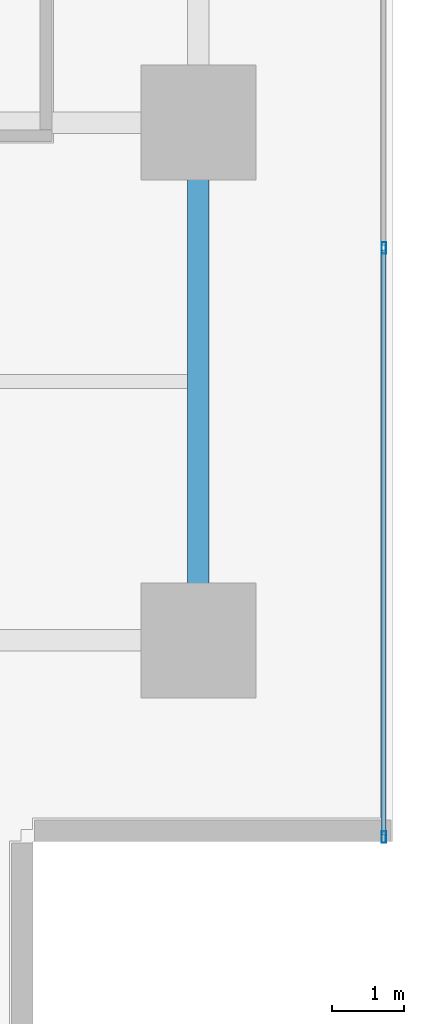
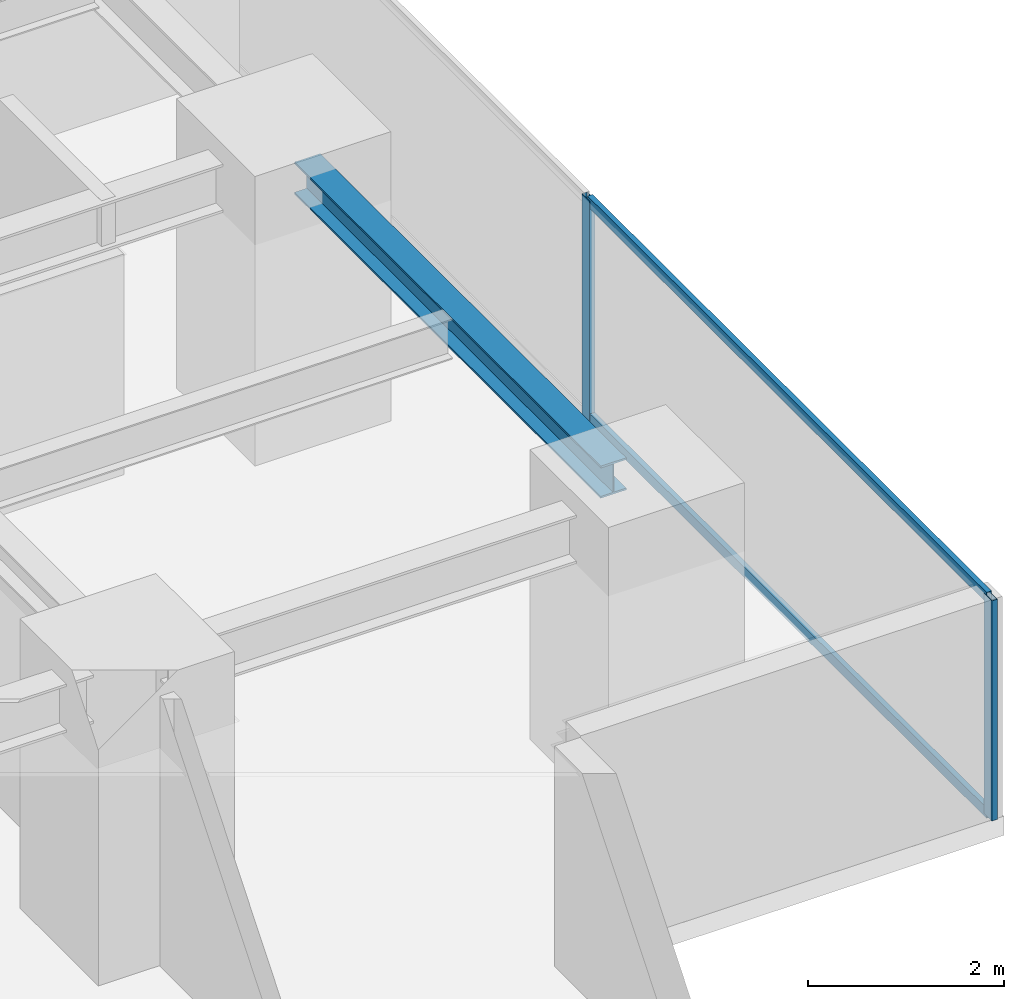
# One storey, part 14 of 37: 4 members, 1 beam, 1 element without a shape of its own.
"""IFC4 building model written with IfcOpenShell, lengths in metres."""

from ifc_helpers import new_model, si_unit, direction, frame, origin, origin_2d, place, context, subcontext, project, spatial, hollow_rectangle, i_section, extrude, source, transform, mapped, material, layer, layer_set, material_profile, profile_set, type_object, element, aggregate, save


model = new_model("IFC4")

# Units and contexts
model_context = context("Model", 3, precision=1e-05, world=origin(), true_north=direction((0.0, 1.0)))
body_context = subcontext(model_context, "Body", "Model", "MODEL_VIEW")
ifc_project = project(units=[si_unit("LENGTHUNIT", "METRE"), si_unit("AREAUNIT", "SQUARE_METRE"), si_unit("VOLUMEUNIT", "CUBIC_METRE"), si_unit("PLANEANGLEUNIT", "RADIAN"), si_unit("MASSUNIT", "GRAM", prefix="KILO")], contexts=[model_context])

# Site, building, storey
site_placement = place(None, origin())
site = spatial("IfcSite", under=ifc_project, at=site_placement, CompositionType="ELEMENT")
building_placement = place(site_placement, origin())
building = spatial("IfcBuilding", under=site, at=building_placement, Name="Sumidabori Civic Tower", CompositionType="ELEMENT")
storey_placement = place(building_placement, frame((0.0, 0.0, 110.0)))
storey = spatial("IfcBuildingStorey", under=building, at=storey_placement, Name="L28", CompositionType="ELEMENT", Elevation=110.0)

# Beam
ifc_material_1 = material(Name="Steel SN490", Category="steel")
ifc_material_profile_1 = material_profile(ifc_material_1, i_section(OverallWidth=0.300048828125, OverallDepth=0.39990234375, WebThickness=0.013427734375, FlangeThickness=0.02392578125, at=origin_2d()), Name="HE 400 B")
ifc_profile_set_1 = profile_set([ifc_material_profile_1], Name="Steel SN490")
beam_type = type_object("IfcBeamType", Name="BM-GIRD-400", PredefinedType="BEAM", material=ifc_profile_set_1)
shared_shape_1 = source(origin(), body_context, "Body", "SweptSolid", [
    extrude(i_section(OverallWidth=0.300048828125, OverallDepth=0.39990234375, WebThickness=0.013427734375, FlangeThickness=0.02392578125, at=origin_2d()), origin(), (0.0, 0.0, 1.0), 6.239990234375),
])
beam_placement = place(storey_placement, frame((22.800048828125, -17.52001953125, 3.159912109375), z_axis=(0.0, 1.0, 0.0), x_axis=(-1.0, 0.0, 0.0)))
element("IfcBeam", 1, at=beam_placement, inside=storey, type_object=beam_type, Name="Primary Girder L28 GY-39", PredefinedType="BEAM", context=body_context, shape_type="MappedRepresentation", body=[
    mapped(shared_shape_1, transform((0.0, 0.0, 0.0), x_axis=(1.0, 0.0, 0.0), y_axis=(0.0, 1.0, 0.0), z_axis=(0.0, 0.0, 1.0), scale=1.0)),
])

# Curtain wall, members
ifc_material_2 = material(Name="Anodised Bronze Aluminium AW-6063-T6", Category="aluminium")
ifc_layer = layer(ifc_material_2, 0.179931640625, Name="Anodised Bronze Aluminium AW-6063-T6")
ifc_layer_set = layer_set([ifc_layer], Name="Anodised Bronze Aluminium AW-6063-T6")
curtain_wall_type = type_object("IfcCurtainWallType", Name="CW-SYS-3", PredefinedType="NOTDEFINED", material=ifc_layer_set)
curtain_wall_placement = place(storey_placement, origin())
curtain_wall = element("IfcCurtainWall", 2, at=curtain_wall_placement, inside=storey, type_object=curtain_wall_type, Name="Curtain Wall CW:L28:R04", PredefinedType="NOTDEFINED")
ifc_material_profile_2 = material_profile(ifc_material_2, hollow_rectangle(XDim=0.06494140625, YDim=0.159912109375, WallThickness=0.0048828125, at=origin_2d()), Name="ALU MULLION 160x65")
ifc_profile_set_2 = profile_set([ifc_material_profile_2], Name="Anodised Bronze Aluminium AW-6063-T6")
member_type_1 = type_object("IfcMemberType", Name="CW-MUL-160", PredefinedType="MULLION", material=ifc_profile_set_2)
shared_shape_2 = source(origin(), body_context, "Body", "SweptSolid", [
    extrude(hollow_rectangle(XDim=0.06494140625, YDim=0.159912109375, WallThickness=0.0048828125, at=origin_2d()), origin(), (0.0, 0.0, 1.0), 2.739990234375),
])
member_1_placement = place(storey_placement, frame((25.3798828125, -20.737548828125, 0.0), z_axis=(0.0, 0.0, 1.0), x_axis=(-1.0, 0.0, 0.0)))
member_1 = element("IfcMember", 3, at=member_1_placement, type_object=member_type_1, Name="CW-3 mullion 1", PredefinedType="MULLION", context=body_context, shape_type="MappedRepresentation", body=[
    mapped(shared_shape_2, transform((0.0, 0.0, 0.0), x_axis=(1.0, 0.0, 0.0), y_axis=(0.0, 1.0, 0.0), z_axis=(0.0, 0.0, 1.0), scale=1.0)),
])
member_2_placement = place(storey_placement, frame((25.3798828125, -12.5419921875, 0.0), z_axis=(0.0, 0.0, 1.0), x_axis=(-1.0, 0.0, 0.0)))
member_2 = element("IfcMember", 4, at=member_2_placement, type_object=member_type_1, Name="CW-3 mullion 2", PredefinedType="MULLION", context=body_context, shape_type="MappedRepresentation", body=[
    mapped(shared_shape_2, transform((0.0, 0.0, 0.0), x_axis=(1.0, 0.0, 0.0), y_axis=(0.0, 1.0, 0.0), z_axis=(0.0, 0.0, 1.0), scale=1.0)),
])
ifc_material_profile_3 = material_profile(ifc_material_2, hollow_rectangle(XDim=0.06005859375, YDim=0.1298828125, WallThickness=0.0048828125, at=origin_2d()), Name="ALU TRANSOM 130x60")
ifc_profile_set_3 = profile_set([ifc_material_profile_3], Name="Anodised Bronze Aluminium AW-6063-T6")
member_type_2 = type_object("IfcMemberType", Name="CW-TRN-130", PredefinedType="USERDEFINED", material=ifc_profile_set_3)
shared_shape_3 = source(origin(), body_context, "Body", "SweptSolid", [
    extrude(hollow_rectangle(XDim=0.06005859375, YDim=0.1298828125, WallThickness=0.0048828125, at=origin_2d()), origin(), (0.0, 0.0, 1.0), 8.130615234375),
])
member_3_placement = place(storey_placement, frame((25.3798828125, -20.705078125, 0.030029296875), z_axis=(0.0, 1.0, 0.0), x_axis=(-1.0, 0.0, 0.0)))
member_3 = element("IfcMember", 5, at=member_3_placement, type_object=member_type_2, Name="CW-3 transom 1.1", ObjectType="TRANSOM", PredefinedType="USERDEFINED", context=body_context, shape_type="MappedRepresentation", body=[
    mapped(shared_shape_3, transform((0.0, 0.0, 0.0), x_axis=(1.0, 0.0, 0.0), y_axis=(0.0, 1.0, 0.0), z_axis=(0.0, 0.0, 1.0), scale=1.0)),
])
member_4_placement = place(storey_placement, frame((25.3798828125, -20.705078125, 2.7099609375), z_axis=(0.0, 1.0, 0.0), x_axis=(-1.0, 0.0, 0.0)))
member_4 = element("IfcMember", 6, at=member_4_placement, type_object=member_type_2, Name="CW-3 transom 1.2", ObjectType="TRANSOM", PredefinedType="USERDEFINED", context=body_context, shape_type="MappedRepresentation", body=[
    mapped(shared_shape_3, transform((0.0, 0.0, 0.0), x_axis=(1.0, 0.0, 0.0), y_axis=(0.0, 1.0, 0.0), z_axis=(0.0, 0.0, 1.0), scale=1.0)),
])
aggregate(curtain_wall, [member_1, member_2, member_3, member_4])

save(model, "model.ifc")
